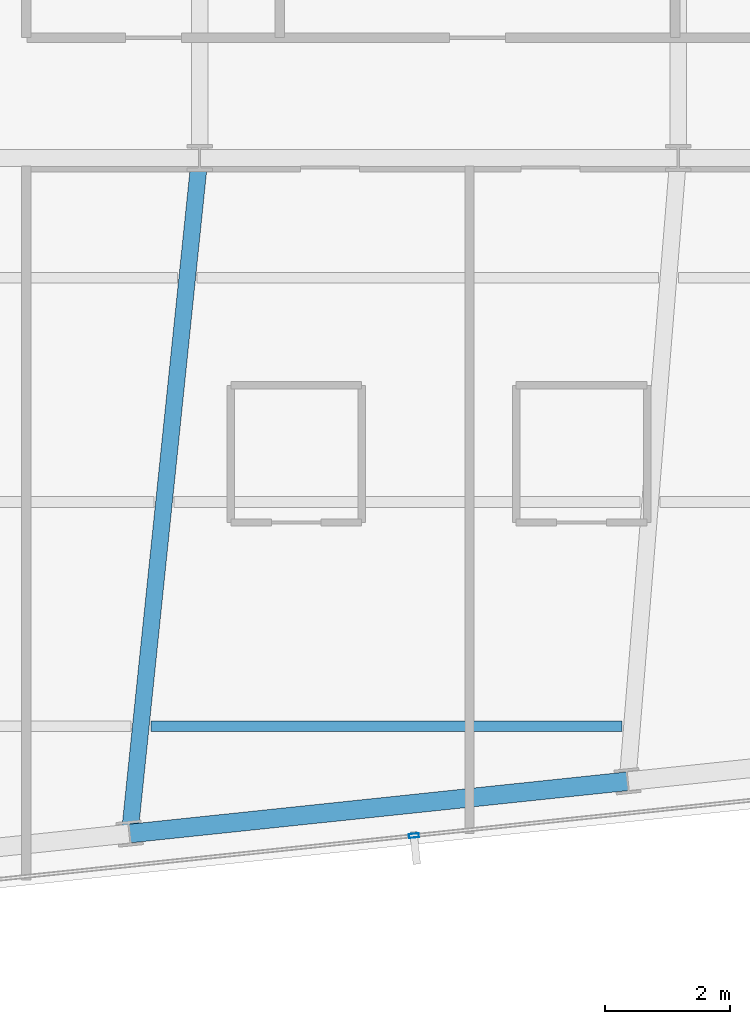
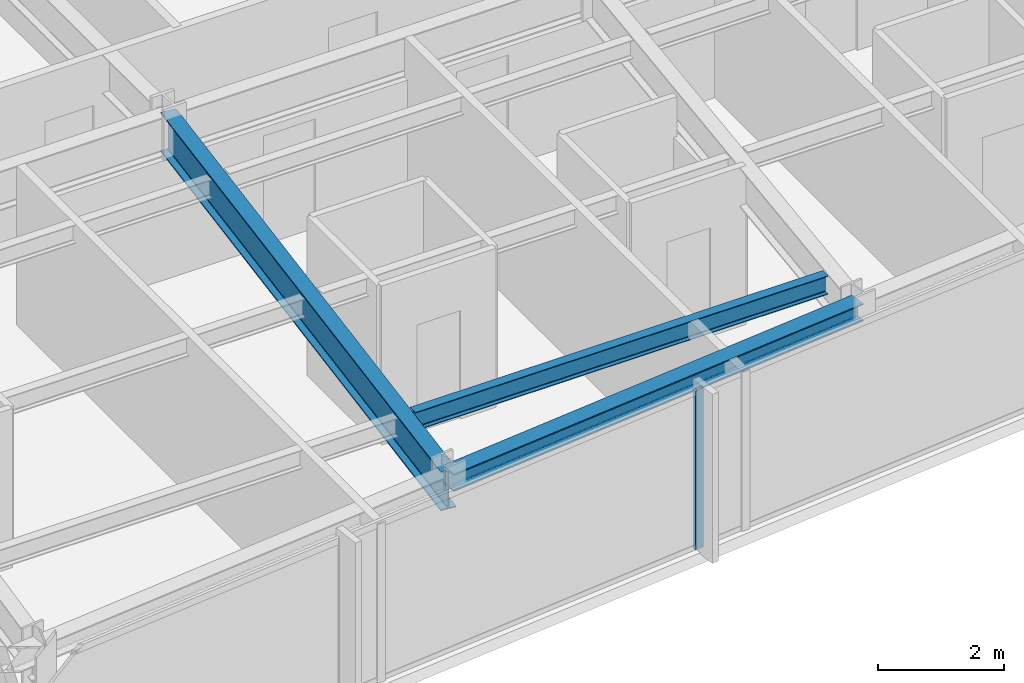
# One storey, part 8 of 33: 3 beams, 1 member, 1 element without a shape of its own.
"""IFC4 building model written with IfcOpenShell, lengths in metres."""

from ifc_helpers import new_model, si_unit, direction, frame, origin, origin_2d, place, context, subcontext, project, spatial, hollow_rectangle, i_section, extrude, material, material_profile, profile_set, type_object, element, aggregate, save


model = new_model("IFC4")

# Units and contexts
model_context = context("Model", 3, precision=1e-05, world=origin(), true_north=direction((0.0, 1.0)))
body_context = subcontext(model_context, "Body", "Model", "MODEL_VIEW")
ifc_project = project(units=[si_unit("LENGTHUNIT", "METRE"), si_unit("AREAUNIT", "SQUARE_METRE"), si_unit("VOLUMEUNIT", "CUBIC_METRE"), si_unit("PLANEANGLEUNIT", "RADIAN"), si_unit("MASSUNIT", "GRAM", prefix="KILO")], contexts=[model_context])

# Site, building, storey
site_placement = place(None, origin())
site = spatial("IfcSite", under=ifc_project, at=site_placement, CompositionType="ELEMENT")
building_placement = place(site_placement, origin())
building = spatial("IfcBuilding", under=site, at=building_placement, Name="Yelkora Congress Tower", CompositionType="ELEMENT")
storey_placement = place(building_placement, frame((0.0, 0.0, 237.5)))
storey = spatial("IfcBuildingStorey", under=building, at=storey_placement, Name="L66", CompositionType="ELEMENT", Elevation=237.5)

# Beams
ifc_material_1 = material(Name="Steel S355J2", Category="steel")
ifc_material_profile_1 = material_profile(ifc_material_1, i_section(OverallWidth=0.26708984375, OverallDepth=0.761962890625, WebThickness=0.014404296875, FlangeThickness=0.021484375, FilletRadius=0.01708984375, at=origin_2d()), Name="IPE 750x173")
ifc_profile_set_1 = profile_set([ifc_material_profile_1], Name="Steel S355J2")
beam_type_1 = type_object("IfcBeamType", Name="BM-GIRD-IPE750", PredefinedType="BEAM", material=ifc_profile_set_1)
beam_1_placement = place(storey_placement, frame((37.277587890625, 14.35791015625, 2.698974609375), z_axis=(0.102964870035, 0.99468499312, 0.0), x_axis=(-0.99468499312, 0.102964870035, 0.0)))
element("IfcBeam", 1, at=beam_1_placement, inside=storey, type_object=beam_type_1, Name="L66 Primary Frame Girder S03", PredefinedType="BEAM", context=body_context, shape_type="SweptSolid", body=[
    extrude(i_section(OverallWidth=0.26708984375, OverallDepth=0.761962890625, WebThickness=0.014404296875, FlangeThickness=0.021484375, FilletRadius=0.01708984375, at=origin_2d()), origin(), (0.0, 0.0, 1.0), 10.89990234375),
])
ifc_material_profile_2 = material_profile(ifc_material_1, i_section(OverallWidth=0.169921875, OverallDepth=0.360107421875, WebThickness=0.008056640625, FlangeThickness=0.0126953125, FilletRadius=0.01806640625, at=origin_2d()), Name="IPE 360")
ifc_profile_set_2 = profile_set([ifc_material_profile_2], Name="Steel S355J2")
beam_type_2 = type_object("IfcBeamType", Name="BM-JOIST-IPE360", PredefinedType="JOIST", material=ifc_profile_set_2)
beam_2_placement = place(storey_placement, frame((37.61572265625, 16.07861328125, 2.89990234375), z_axis=(1.0, 0.0, 0.0), x_axis=(0.0, 1.0, 0.0)))
element("IfcBeam", 2, at=beam_2_placement, inside=storey, type_object=beam_type_2, Name="L66 Composite Floor Joist 2", PredefinedType="JOIST", context=body_context, shape_type="SweptSolid", body=[
    extrude(i_section(OverallWidth=0.169921875, OverallDepth=0.360107421875, WebThickness=0.008056640625, FlangeThickness=0.0126953125, FilletRadius=0.01806640625, at=origin_2d()), origin(), (0.0, 0.0, 1.0), 7.56298828125),
])
ifc_material_profile_3 = material_profile(ifc_material_1, i_section(OverallWidth=0.300048828125, OverallDepth=0.340087890625, WebThickness=0.011962890625, FlangeThickness=0.021484375, FilletRadius=0.027099609375, at=origin_2d()), Name="HEB 340")
ifc_profile_set_3 = profile_set([ifc_material_profile_3], Name="Steel S355J2")
beam_type_3 = type_object("IfcBeamType", Name="BM-SPAN-HEB340", PredefinedType="SPANDREL", material=ifc_profile_set_3)
beam_3_placement = place(storey_placement, frame((37.277587890625, 14.35791015625, 2.909912109375), z_axis=(0.99452358891, 0.104512349038, 0.0), x_axis=(-0.104512349038, 0.99452358891, 0.0)))
element("IfcBeam", 3, at=beam_3_placement, inside=storey, type_object=beam_type_3, Name="L66 Perimeter Beam 5", PredefinedType="SPANDREL", context=body_context, shape_type="SweptSolid", body=[
    extrude(i_section(OverallWidth=0.300048828125, OverallDepth=0.340087890625, WebThickness=0.011962890625, FlangeThickness=0.021484375, FilletRadius=0.027099609375, at=origin_2d()), origin(), (0.0, 0.0, 1.0), 8.033447265625),
])

# Curtain wall, member
ifc_material_2 = material(Name="Anodised aluminium and insulated glass", Category="aluminium")
curtain_wall_type = type_object("IfcCurtainWallType", Name="CW-SYS-B4", PredefinedType="NOTDEFINED", material=ifc_material_2)
curtain_wall_placement = place(storey_placement, origin())
curtain_wall = element("IfcCurtainWall", 4, at=curtain_wall_placement, inside=storey, type_object=curtain_wall_type, Name="L66 Unitised Curtain Wall 20", PredefinedType="NOTDEFINED")
ifc_material_3 = material(Name="Anodised aluminium 6063-T6", Category="aluminium")
ifc_material_profile_4 = material_profile(ifc_material_3, hollow_rectangle(XDim=0.06494140625, YDim=0.159912109375, WallThickness=0.00390625, at=origin_2d()), Name="ALU 65x160x4")
ifc_profile_set_4 = profile_set([ifc_material_profile_4], Name="Anodised aluminium 6063-T6")
member_type = type_object("IfcMemberType", Name="MEM-ML-B4", PredefinedType="MULLION", material=ifc_profile_set_4)
member_placement = place(storey_placement, frame((41.838134765625, 14.324462890625, 0.0), z_axis=(0.0, 0.0, 1.0), x_axis=(0.104526664994, -0.994522084373, 0.0)))
member = element("IfcMember", 5, at=member_placement, type_object=member_type, Name="CW-B4 mullion 5", PredefinedType="MULLION", context=body_context, shape_type="SweptSolid", body=[
    extrude(hollow_rectangle(XDim=0.06494140625, YDim=0.159912109375, WallThickness=0.00390625, at=origin_2d()), origin(), (0.0, 0.0, 1.0), 3.080078125),
])
aggregate(curtain_wall, [member])

save(model, "model.ifc")
